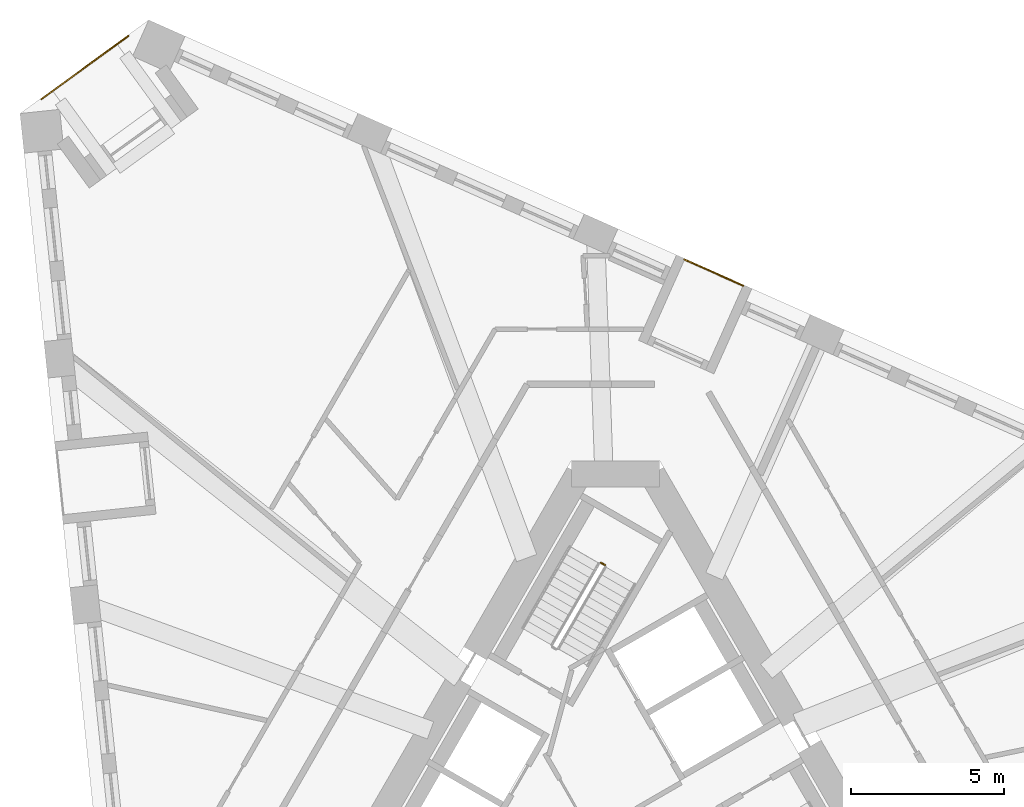
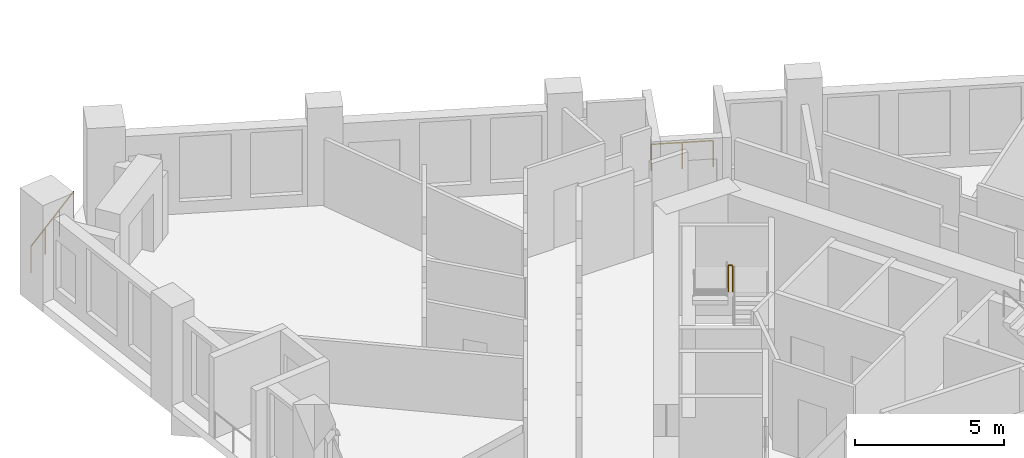
# One storey, part 13 of 14: 3 railings.
"""IFC4 building model written with IfcOpenShell, lengths in metres."""

from ifc_helpers import new_model, si_unit, direction, frame, origin, origin_2d, place, context, subcontext, project, spatial, circle, extrude, material, type_object, element, save


model = new_model("IFC4")

# Units and contexts
model_context = context("Model", 3, precision=1e-05, world=origin(), true_north=direction((0.0, 1.0)))
body_context = subcontext(model_context, "Body", "Model", "MODEL_VIEW")
ifc_project = project(units=[si_unit("LENGTHUNIT", "METRE"), si_unit("AREAUNIT", "SQUARE_METRE"), si_unit("VOLUMEUNIT", "CUBIC_METRE"), si_unit("PLANEANGLEUNIT", "RADIAN"), si_unit("MASSUNIT", "GRAM", prefix="KILO")], contexts=[model_context])

# Site, building, storey
site_placement = place(None, origin())
site = spatial("IfcSite", under=ifc_project, at=site_placement, CompositionType="ELEMENT")
building_placement = place(site_placement, origin())
building = spatial("IfcBuilding", under=site, at=building_placement, Name="Tramontana Tower", CompositionType="ELEMENT")
storey_placement = place(building_placement, frame((0.0, 0.0, 162.800048828125)))
storey = spatial("IfcBuildingStorey", under=building, at=storey_placement, Name="L37", CompositionType="ELEMENT", Elevation=162.800048828125)

# Railings
ifc_material_1 = material(Name="Laminated glass balustrade", Category="glass")
railing_type_1 = type_object("IfcRailingType", Name="GD1 Loggia glass balustrade 1100", PredefinedType="BALUSTRADE", material=ifc_material_1)
railing_1_placement = place(storey_placement, frame((4.1669921875, 16.720703125, 0.0)))
element("IfcRailing", 1, at=railing_1_placement, inside=storey, type_object=railing_type_1, Name="Loggia balustrade L37 G4S2.10", PredefinedType="BALUSTRADE", context=body_context, shape_type="SweptSolid", body=[
    extrude(circle(Radius=0.02392578125, at=origin_2d()), frame((0.0, 0.0, 1.076171875), z_axis=(-0.913556597974, 0.40671162056, 0.0), x_axis=(-0.40671162056, -0.913556597974, 0.0)), (0.0, 0.0, 1.0), 2.094482421875),
    extrude(circle(Radius=0.02099609375, at=origin_2d()), origin(), (0.0, 0.0, 1.0), 1.052001953125),
    extrude(circle(Radius=0.02099609375, at=origin_2d()), frame((-0.95654296875, 0.42578125, 0.0)), (0.0, 0.0, 1.0), 1.052001953125),
    extrude(circle(Radius=0.02099609375, at=origin_2d()), frame((-1.913330078125, 0.851806640625, 0.0)), (0.0, 0.0, 1.0), 1.052001953125),
])
railing_2_placement = place(storey_placement, frame((-18.73779296875, 22.81298828125, 0.0)))
element("IfcRailing", 2, at=railing_2_placement, inside=storey, type_object=railing_type_1, Name="Corner loggia balustrade L37 K40", PredefinedType="BALUSTRADE", context=body_context, shape_type="SweptSolid", body=[
    extrude(circle(Radius=0.02392578125, at=origin_2d()), frame((0.0, 0.0, 1.076171875), z_axis=(0.808998426921, 0.587810807352, 0.0), x_axis=(-0.587810807352, 0.808998426921, 0.0)), (0.0, 0.0, 1.0), 3.5),
    extrude(circle(Radius=0.02099609375, at=origin_2d()), origin(), (0.0, 0.0, 1.0), 1.052001953125),
    extrude(circle(Radius=0.02099609375, at=origin_2d()), frame((0.94384765625, 0.685791015625, 0.0)), (0.0, 0.0, 1.0), 1.052001953125),
    extrude(circle(Radius=0.02099609375, at=origin_2d()), frame((1.8876953125, 1.37158203125, 0.0)), (0.0, 0.0, 1.0), 1.052001953125),
    extrude(circle(Radius=0.02099609375, at=origin_2d()), frame((2.83154296875, 2.057373046875, 0.0)), (0.0, 0.0, 1.0), 1.052001953125),
])
ifc_material_2 = material(Name="Painted steel", Category="steel")
railing_type_2 = type_object("IfcRailingType", Name="STAIR GUARD 1100", PredefinedType="GUARDRAIL", material=ifc_material_2)
railing_3_placement = place(storey_placement, frame((-0.345703125, 7.601318359375, 2.0)))
element("IfcRailing", 3, at=railing_3_placement, inside=storey, type_object=railing_type_2, Name="L37 ST1 stair guard 3", PredefinedType="GUARDRAIL", context=body_context, shape_type="SweptSolid", body=[
    extrude(circle(Radius=0.02392578125, at=origin_2d()), frame((0.0, 0.0, 1.076171875), z_axis=(-0.866131372301, 0.499816412211, 0.0), x_axis=(-0.499816412211, -0.866131372301, 0.0)), (0.0, 0.0, 1.0), 0.14990234375),
    extrude(circle(Radius=0.02099609375, at=origin_2d()), origin(), (0.0, 0.0, 1.0), 1.052001953125),
    extrude(circle(Radius=0.02099609375, at=origin_2d()), frame((-0.1298828125, 0.074951171875, 0.0)), (0.0, 0.0, 1.0), 1.052001953125),
])

save(model, "model.ifc")
